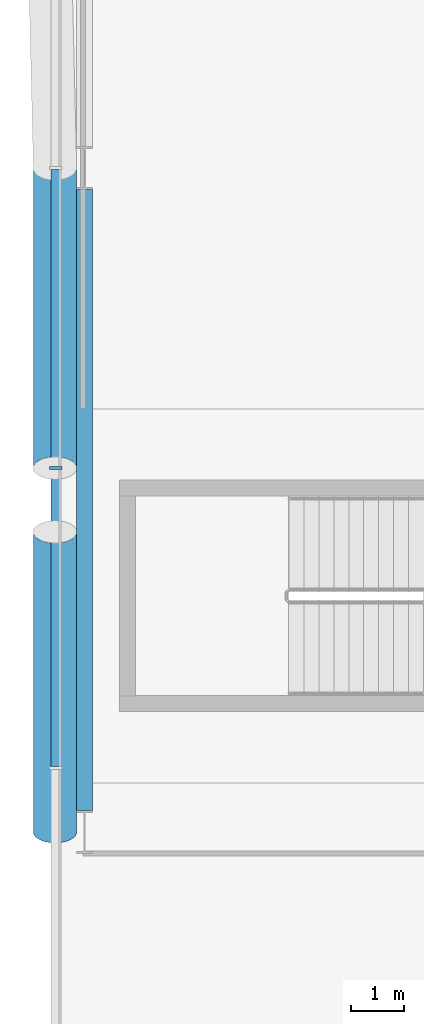
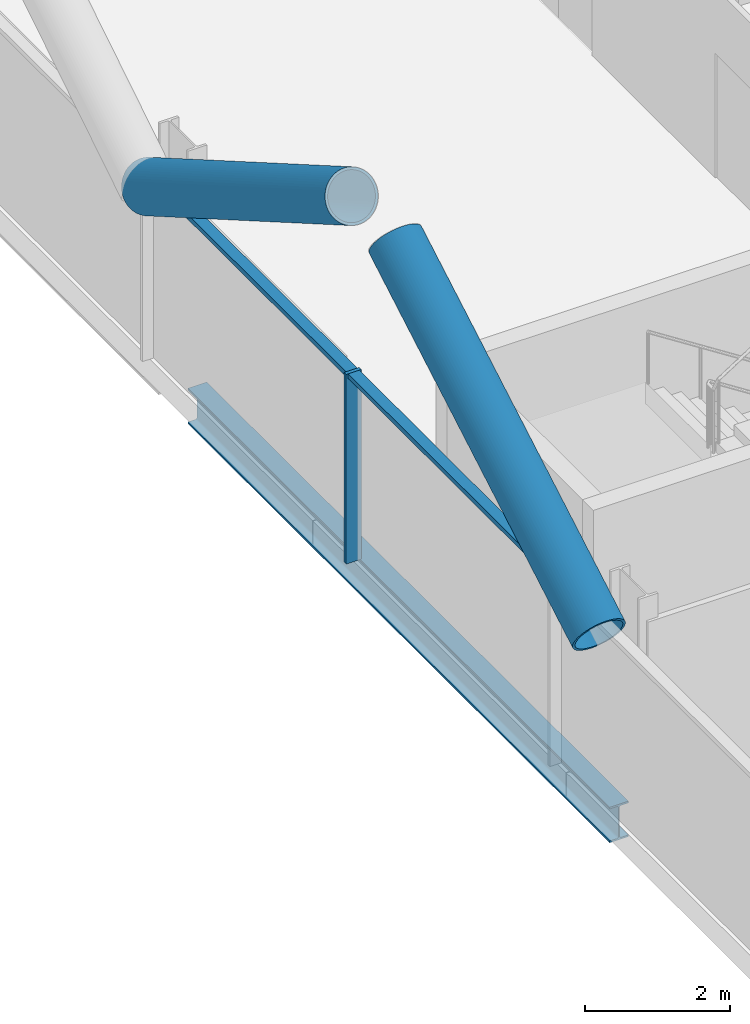
# One storey, part 6 of 27: 5 members, 1 beam, 1 element without a shape of its own.
"""IFC4 building model written with IfcOpenShell, lengths in metres."""

from ifc_helpers import new_model, si_unit, direction, frame, origin, origin_2d, place, context, subcontext, project, spatial, rectangle, hollow_circle, i_section, extrude, material, material_profile, profile_set, type_object, element, aggregate, save


model = new_model("IFC4")

# Units and contexts
model_context = context("Model", 3, precision=1e-05, world=origin(), true_north=direction((0.0, 1.0)))
body_context = subcontext(model_context, "Body", "Model", "MODEL_VIEW")
ifc_project = project(units=[si_unit("LENGTHUNIT", "METRE"), si_unit("AREAUNIT", "SQUARE_METRE"), si_unit("VOLUMEUNIT", "CUBIC_METRE"), si_unit("PLANEANGLEUNIT", "RADIAN"), si_unit("MASSUNIT", "GRAM", prefix="KILO")], contexts=[model_context])

# Site, building, storey
site_placement = place(None, origin())
site = spatial("IfcSite", under=ifc_project, at=site_placement, CompositionType="ELEMENT")
building_placement = place(site_placement, origin())
building = spatial("IfcBuilding", under=site, at=building_placement, Name="Wharfspan Tower", CompositionType="ELEMENT")
storey_placement = place(building_placement, frame((0.0, 0.0, 136.300049)))
storey = spatial("IfcBuildingStorey", under=building, at=storey_placement, Name="L32", CompositionType="ELEMENT", Elevation=136.300049)

# Beam
ifc_material_1 = material(Name="Steel S355J2", Category="steel")
ifc_material_profile_1 = material_profile(ifc_material_1, i_section(OverallWidth=0.300049, OverallDepth=0.600098, WebThickness=0.015381, FlangeThickness=0.030029, FilletRadius=0.0271, at=origin_2d()))
ifc_profile_set_1 = profile_set([ifc_material_profile_1], Name="Steel S355J2")
beam_type = type_object("IfcBeamType", Name="Edge beam HEB 600", PredefinedType="SPANDREL", material=ifc_profile_set_1)
beam_placement = place(storey_placement, frame((7.540039, 30.330322, -0.699951), z_axis=(0.0, -1.0, 0.0), x_axis=(1.0, 0.0, 0.0)))
element("IfcBeam", 1, at=beam_placement, inside=storey, type_object=beam_type, Name="Edge beam W L32 PW.1 to PW.2", PredefinedType="SPANDREL", context=body_context, shape_type="SweptSolid", body=[
    extrude(i_section(OverallWidth=0.300049, OverallDepth=0.600098, WebThickness=0.015381, FlangeThickness=0.030029, FilletRadius=0.0271, at=origin_2d()), origin(), (0.0, 0.0, 1.0), 11.660645),
])

# Curtain wall, member
ifc_material_2 = material(Name="Aluminium 6063-T6", Category="aluminium")
curtain_wall_type = type_object("IfcCurtainWallType", Name="CURTAIN WALL PROW AND END", PredefinedType="NOTDEFINED", material=ifc_material_2)
curtain_wall_placement = place(storey_placement, origin())
curtain_wall = element("IfcCurtainWall", 2, at=curtain_wall_placement, inside=storey, type_object=curtain_wall_type, Name="Curtain wall W", PredefinedType="NOTDEFINED")
ifc_material_profile_2 = material_profile(ifc_material_2, rectangle(XDim=0.23999, YDim=0.060059, at=origin_2d()))
ifc_profile_set_2 = profile_set([ifc_material_profile_2], Name="Aluminium 6063-T6")
member_type_1 = type_object("IfcMemberType", Name="MULLION PROW AND END 60x240", PredefinedType="MULLION", material=ifc_profile_set_2)
member_1_placement = place(storey_placement, frame((7.0, 25.100098, 0.0), z_axis=(0.0, 0.0, 1.0), x_axis=(1.0, 0.0, 0.0)))
member_1 = element("IfcMember", 3, at=member_1_placement, type_object=member_type_1, Name="Curtain wall W mullion 4", PredefinedType="MULLION", context=body_context, shape_type="SweptSolid", body=[
    extrude(rectangle(XDim=0.23999, YDim=0.060059, at=origin_2d()), origin(), (0.0, 0.0, 1.0), 3.199951),
])

# Members
ifc_material_3 = material(Name="Steel S460NH", Category="steel")
ifc_material_profile_3 = material_profile(ifc_material_3, hollow_circle(Radius=0.406494, WallThickness=0.040039, at=origin_2d()))
ifc_profile_set_3 = profile_set([ifc_material_profile_3], Name="Steel S460NH")
member_type_2 = type_object("IfcMemberType", Name="Mega brace CHS 813x40", PredefinedType="BRACE", material=ifc_profile_set_3)
for number, where, z_axis, x_axis, name in (
    (4, (6.985107, 30.733398, 2.899902), (0.0, -0.865959, 0.500115), (1.0, 0.0, 0.0), "Mega brace W3 L33 part 1"),
    (5, (6.985107, 18.266602, 2.899902), (0.0, 0.865959, 0.500115), (-1.0, 0.0, 0.0), "Mega brace W3 L33 part 3"),
):
    element("IfcMember", number, at=place(storey_placement, frame(where, z_axis=z_axis, x_axis=x_axis)), inside=storey, type_object=member_type_2, Name=name, PredefinedType="BRACE", context=body_context, shape_type="SweptSolid", body=[
        extrude(hollow_circle(Radius=0.406494, WallThickness=0.040039, at=origin_2d()), origin(), (0.0, 0.0, 1.0), 6.498535),
    ])

# Member
ifc_material_profile_4 = material_profile(ifc_material_2, rectangle(XDim=0.179932, YDim=0.080078, at=origin_2d()))
ifc_profile_set_4 = profile_set([ifc_material_profile_4], Name="Aluminium 6063-T6")
member_type_3 = type_object("IfcMemberType", Name="TRANSOM PROW AND END 80x180", PredefinedType="USERDEFINED", material=ifc_profile_set_4)
member_2_placement = place(storey_placement, frame((7.0, 30.703369, 3.159912), z_axis=(0.0, -1.0, 0.0), x_axis=(1.0, 0.0, 0.0)))
member_2 = element("IfcMember", 6, at=member_2_placement, type_object=member_type_3, Name="Curtain wall W transom 3", ObjectType="TRANSOM", PredefinedType="USERDEFINED", context=body_context, shape_type="SweptSolid", body=[
    extrude(rectangle(XDim=0.179932, YDim=0.080078, at=origin_2d()), origin(), (0.0, 0.0, 1.0), 5.573486),
])

member_3_placement = place(storey_placement, frame((7.0, 25.070068, 3.159912), z_axis=(0.0, -1.0, 0.0), x_axis=(1.0, 0.0, 0.0)))
member_3 = element("IfcMember", 7, at=member_3_placement, type_object=member_type_3, Name="Curtain wall W transom 4", ObjectType="TRANSOM", PredefinedType="USERDEFINED", context=body_context, shape_type="SweptSolid", body=[
    extrude(rectangle(XDim=0.179932, YDim=0.080078, at=origin_2d()), origin(), (0.0, 0.0, 1.0), 5.573486),
])

aggregate(curtain_wall, [member_1, member_2, member_3])

save(model, "model.ifc")
